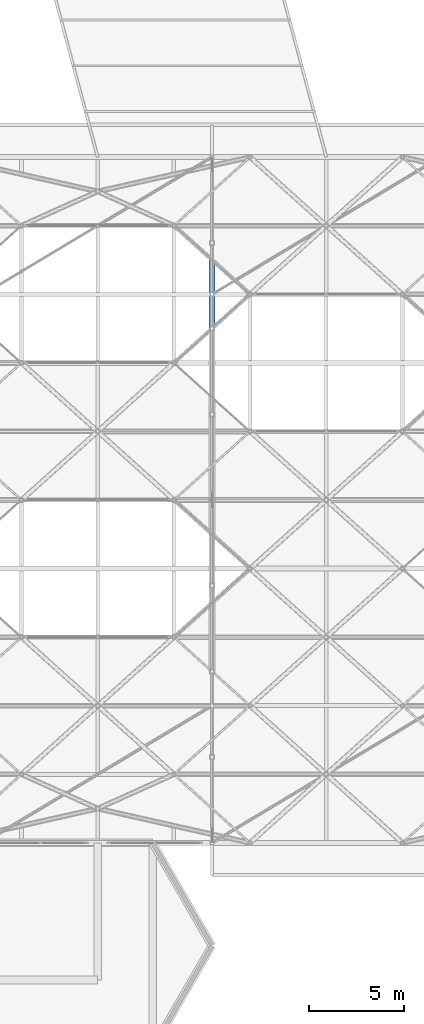
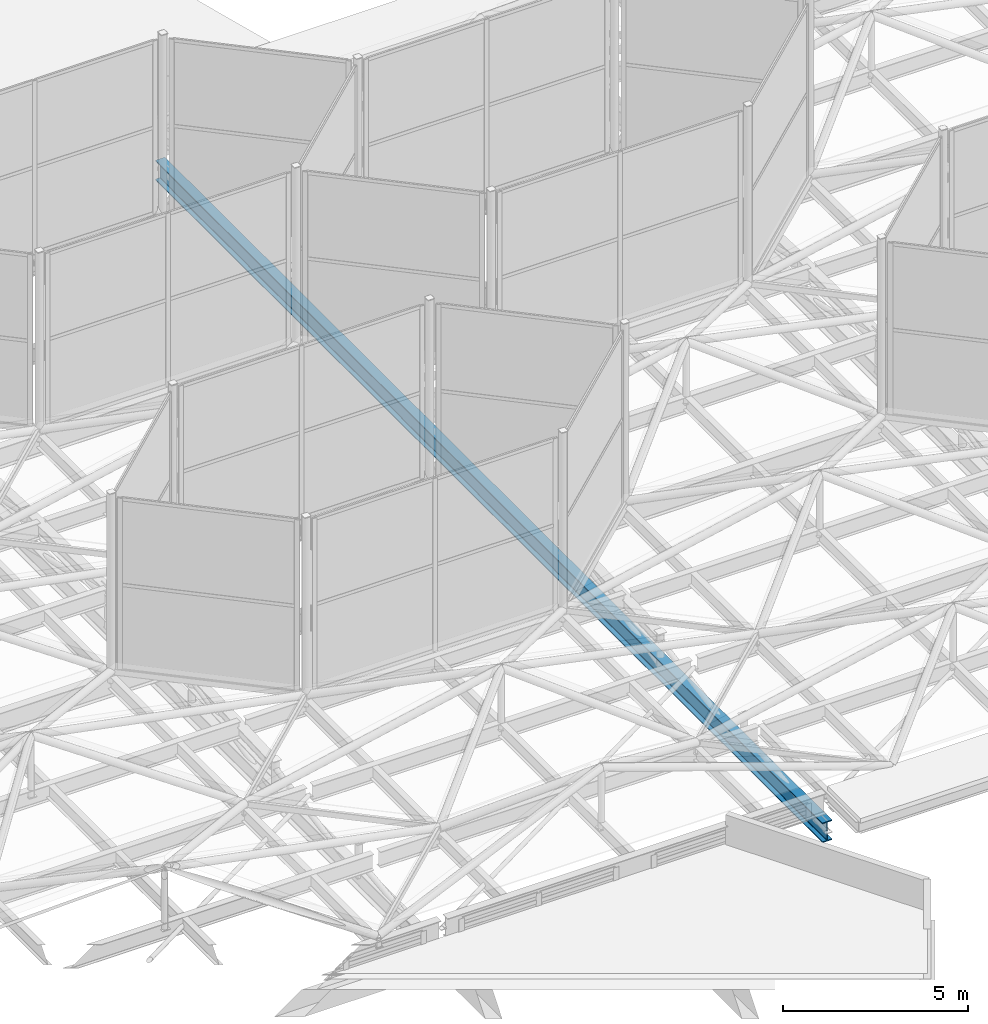
# One storey, part 79 of 239: 1 beam.
"""IFC4 building model written with IfcOpenShell, lengths in metres."""

from ifc_helpers import new_model, si_unit, direction, frame, origin, origin_2d, place, context, subcontext, project, spatial, i_section, extrude, material, material_profile, profile_set, type_object, element, save


model = new_model("IFC4")

# Units and contexts
model_context = context("Model", 3, precision=1e-05, world=origin(), true_north=direction((0.0, 1.0)))
body_context = subcontext(model_context, "Body", "Model", "MODEL_VIEW")
ifc_project = project(units=[si_unit("LENGTHUNIT", "METRE"), si_unit("AREAUNIT", "SQUARE_METRE"), si_unit("VOLUMEUNIT", "CUBIC_METRE"), si_unit("PLANEANGLEUNIT", "RADIAN"), si_unit("MASSUNIT", "GRAM", prefix="KILO")], contexts=[model_context])

# Site, building, storey
site_placement = place(None, origin())
site = spatial("IfcSite", under=ifc_project, at=site_placement, CompositionType="ELEMENT")
building_placement = place(site_placement, origin())
building = spatial("IfcBuilding", under=site, at=building_placement, Name="Dunvalen Ferry Terminal", CompositionType="ELEMENT")
storey_placement = place(building_placement, frame((0.0, 0.0, 9.840087890625)))
storey = spatial("IfcBuildingStorey", under=building, at=storey_placement, Name="L02", CompositionType="ELEMENT", Elevation=9.840087890625)

# Beam
ifc_material = material(Name="Steel S355", Category="steel")
ifc_material_profile = material_profile(ifc_material, i_section(OverallWidth=0.300048828125, OverallDepth=0.64990234375, WebThickness=0.01611328125, FlangeThickness=0.031005859375, FilletRadius=0.027099609375, at=origin_2d()), Name="Steel S355")
ifc_profile_set = profile_set([ifc_material_profile], Name="Steel S355")
beam_type = type_object("IfcBeamType", Name="STR-BM-HEB650", PredefinedType="BEAM", material=ifc_profile_set)
beam_placement = place(storey_placement, frame((36.0, 50.39990234375, -0.360107421875), z_axis=(0.0, 1.0, 0.0), x_axis=(-1.0, 0.0, 0.0)))
element("IfcBeam", 1, at=beam_placement, inside=storey, type_object=beam_type, Name="Departure Hall Tied-Arch Tie Girder 03", PredefinedType="BEAM", context=body_context, shape_type="SweptSolid", body=[
    extrude(i_section(OverallWidth=0.300048828125, OverallDepth=0.64990234375, WebThickness=0.01611328125, FlangeThickness=0.031005859375, FilletRadius=0.027099609375, at=origin_2d()), origin(), (0.0, 0.0, 1.0), 36.0),
])

save(model, "model.ifc")
